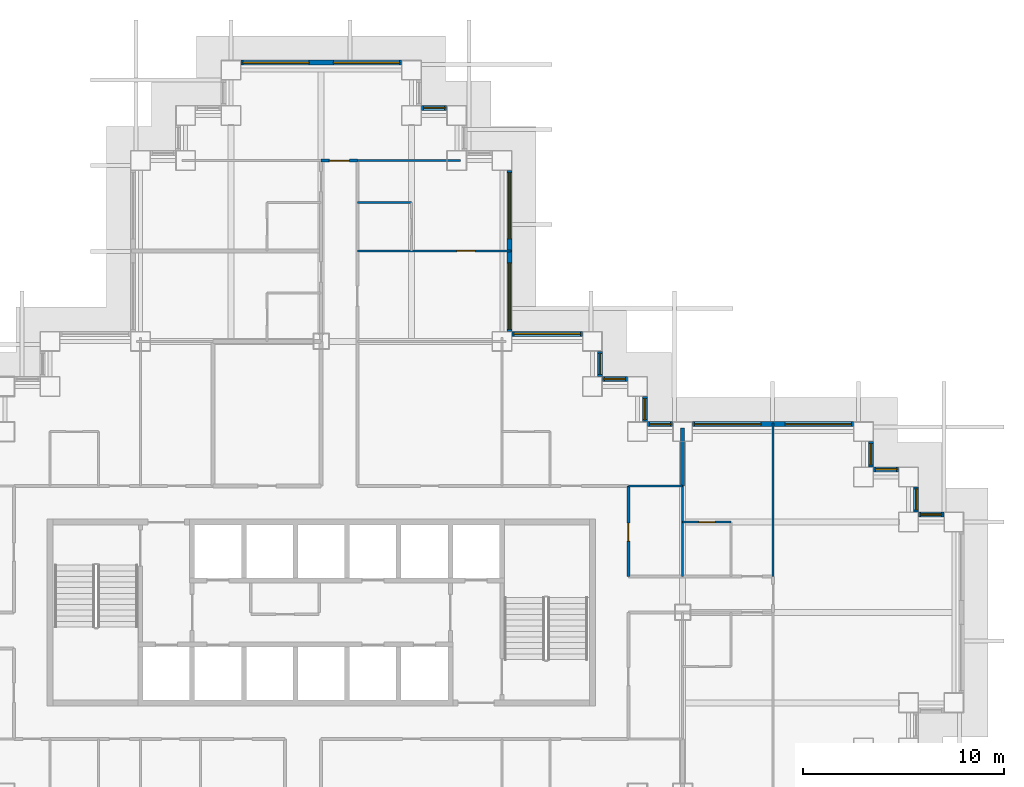
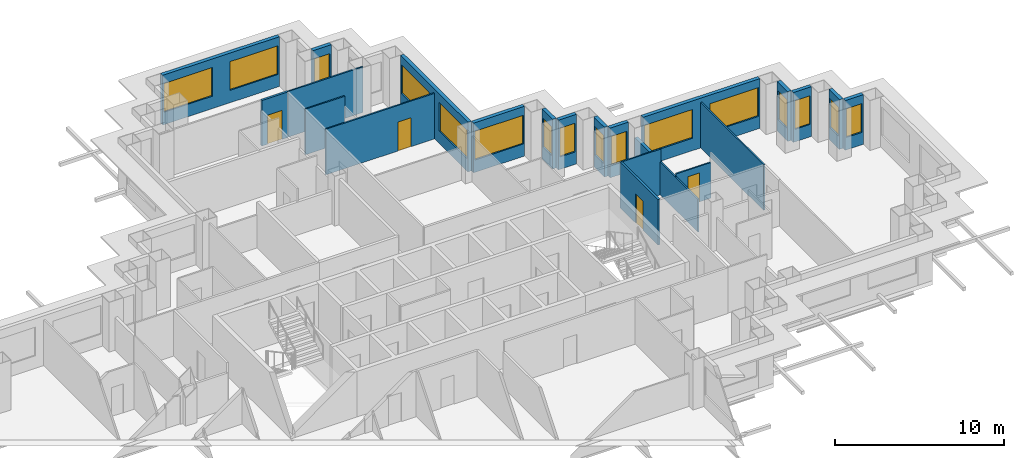
# One storey, part 9 of 15: 23 walls, 16 windows, 4 doors, 20 openings.
"""IFC4 building model written with IfcOpenShell, lengths in metres."""

from ifc_helpers import new_model, si_unit, direction, frame, frame_2d, origin, place, context, subcontext, project, spatial, rectangle, extrude, material, layer, layer_set, type_object, element, fill, save


model = new_model("IFC4")

# Units and contexts
model_context = context("Model", 3, precision=1e-05, world=origin(), true_north=direction((0.0, 1.0)))
body_context = subcontext(model_context, "Body", "Model", "MODEL_VIEW")
ifc_project = project(units=[si_unit("LENGTHUNIT", "METRE"), si_unit("AREAUNIT", "SQUARE_METRE"), si_unit("VOLUMEUNIT", "CUBIC_METRE"), si_unit("PLANEANGLEUNIT", "RADIAN"), si_unit("MASSUNIT", "GRAM", prefix="KILO")], contexts=[model_context])

# Site, building, storey
site_placement = place(None, origin())
site = spatial("IfcSite", under=ifc_project, at=site_placement, CompositionType="ELEMENT")
building_placement = place(site_placement, origin())
building = spatial("IfcBuilding", under=site, at=building_placement, Name="Caravel Reach Hotel and Residences", CompositionType="ELEMENT")
storey_placement = place(building_placement, frame((0.0, 0.0, 70.800048828125)))
storey = spatial("IfcBuildingStorey", under=building, at=storey_placement, Name="L16", CompositionType="ELEMENT", Elevation=70.800048828125)

# Wall, opening, door
ifc_material_1 = material(Name="Gypsum board on steel stud", Category="steel")
ifc_layer_1 = layer(ifc_material_1, 0.10009765625)
ifc_layer_set_1 = layer_set([ifc_layer_1], Name="Bathroom pod wall 100 mm")
wall_type_1 = type_object("IfcWallType", Name="Bathroom pod wall 100 mm", PredefinedType="PARTITIONING", material=ifc_layer_set_1)
wall_1_placement = place(storey_placement, frame((49.5, 31.5, 0.0), z_axis=(0.0, 0.0, 1.0), x_axis=(1.0, 0.0, 0.0)))
wall_1 = element("IfcWall", 1, at=wall_1_placement, inside=storey, type_object=wall_type_1, Name="L16 wall w080", PredefinedType="PARTITIONING", context=body_context, shape_type="SweptSolid", body=[
    extrude(rectangle(XDim=2.39990234375, YDim=0.10009765625, at=frame_2d((1.199951171875, 0.0))), origin(), (0.0, 0.0, 1.0), 2.579833984375),
])
opening_1_placement = place(wall_1_placement, frame((0.800048828125, 0.0, 0.0)))
opening_1 = element("IfcOpeningElement", 2, at=opening_1_placement, cuts=wall_1, Name="Opening D16-022", PredefinedType="OPENING", context=body_context, shape_type="SweptSolid", body=[
    extrude(rectangle(XDim=0.800048828125, YDim=2.10009765625, at=frame_2d((0.39990234375, 1.050048828125))), frame((0.0, 0.06005859375, 0.0), z_axis=(0.0, -1.0, 0.0), x_axis=(1.0, 0.0, 0.0)), (0.0, 0.0, 1.0), 0.1201171875),
])
ifc_material_2 = material(Name="Timber and steel door leaf", Category="steel")
door_type_1 = type_object("IfcDoorType", Name="Bathroom door 800 x 2100", OperationType="SINGLE_SWING_LEFT", PredefinedType="DOOR", material=ifc_material_2)
door_1_placement = place(opening_1_placement, origin())
door_1 = element("IfcDoor", 3, at=door_1_placement, inside=storey, type_object=door_type_1, Name="door D16-022", OperationType="SINGLE_SWING_LEFT", OverallHeight=2.10009765625, OverallWidth=0.800048828125, PredefinedType="DOOR", context=body_context, shape_type="SweptSolid", body=[
    extrude(rectangle(XDim=0.800048828125, YDim=2.10009765625, at=frame_2d((0.39990234375, 1.050048828125))), frame((0.0, 0.02490234375, 0.0), z_axis=(0.0, -1.0, 0.0), x_axis=(1.0, 0.0, 0.0)), (0.0, 0.0, 1.0), 0.050048828125),
])
fill(opening_1, door_1)

# Wall
wall_2_placement = place(storey_placement, frame((33.300048828125, 47.39990234375, 0.0), z_axis=(0.0, 0.0, 1.0), x_axis=(1.0, 0.0, 0.0)))
element("IfcWall", 4, at=wall_2_placement, inside=storey, type_object=wall_type_1, Name="L16 wall w085", PredefinedType="PARTITIONING", context=body_context, shape_type="SweptSolid", body=[
    extrude(rectangle(XDim=2.699951171875, YDim=0.10009765625, at=frame_2d((1.35009765625, 0.0))), origin(), (0.0, 0.0, 1.0), 3.300048828125),
])

# Wall, opening, door
ifc_material_3 = material(Name="Gypsum board on steel stud, fire-rated", Category="steel")
ifc_layer_2 = layer(ifc_material_3, 0.14990234375)
ifc_layer_set_2 = layer_set([ifc_layer_2], Name="Corridor wall 150 mm EI 60")
wall_type_2 = type_object("IfcWallType", Name="Corridor wall 150 mm EI 60", PredefinedType="PARTITIONING", material=ifc_layer_set_2)
wall_3_placement = place(storey_placement, frame((31.5, 49.5, 0.0), z_axis=(0.0, 0.0, 1.0), x_axis=(1.0, 0.0, 0.0)))
wall_3 = element("IfcWall", 5, at=wall_3_placement, inside=storey, type_object=wall_type_2, Name="L16 wall w020", PredefinedType="PARTITIONING", context=body_context, shape_type="SweptSolid", body=[
    extrude(rectangle(XDim=1.800048828125, YDim=0.14990234375, at=frame_2d((0.89990234375, 0.0))), origin(), (0.0, 0.0, 1.0), 3.300048828125),
])
opening_2_placement = place(wall_3_placement, frame((0.39990234375, 0.0, 0.0)))
opening_2 = element("IfcOpeningElement", 6, at=opening_2_placement, cuts=wall_3, Name="Opening D16-039", PredefinedType="OPENING", context=body_context, shape_type="SweptSolid", body=[
    extrude(rectangle(XDim=1.0, YDim=2.10009765625, at=frame_2d((0.5, 1.050048828125))), frame((0.0, 0.0849609375, 0.0), z_axis=(0.0, -1.0, 0.0), x_axis=(1.0, 0.0, 0.0)), (0.0, 0.0, 1.0), 0.169921875),
])
ifc_material_4 = material(Name="Steel fire door leaf", Category="steel")
door_type_2 = type_object("IfcDoorType", Name="Guest room door 1000 x 2100 EI 30", OperationType="SINGLE_SWING_LEFT", PredefinedType="DOOR", material=ifc_material_4)
door_2_placement = place(opening_2_placement, origin())
door_2 = element("IfcDoor", 7, at=door_2_placement, inside=storey, type_object=door_type_2, Name="door D16-039", OperationType="SINGLE_SWING_LEFT", OverallHeight=2.10009765625, OverallWidth=1.0, PredefinedType="DOOR", context=body_context, shape_type="SweptSolid", body=[
    extrude(rectangle(XDim=1.0, YDim=2.10009765625, at=frame_2d((0.5, 1.050048828125))), frame((0.0, 0.02490234375, 0.0), z_axis=(0.0, -1.0, 0.0), x_axis=(1.0, 0.0, 0.0)), (0.0, 0.0, 1.0), 0.050048828125),
])
fill(opening_2, door_2)

wall_4_placement = place(storey_placement, frame((46.800048828125, 28.800048828125, 0.0), z_axis=(0.0, 0.0, 1.0), x_axis=(0.0, 1.0, 0.0)))
wall_4 = element("IfcWall", 8, at=wall_4_placement, inside=storey, type_object=wall_type_2, Name="L16 wall w034", PredefinedType="PARTITIONING", context=body_context, shape_type="SweptSolid", body=[
    extrude(rectangle(XDim=4.5, YDim=0.14990234375, at=frame_2d((2.25, 0.0))), origin(), (0.0, 0.0, 1.0), 3.300048828125),
])
opening_3_placement = place(wall_4_placement, frame((1.75, 0.0, 0.0)))
opening_3 = element("IfcOpeningElement", 9, at=opening_3_placement, cuts=wall_4, Name="Opening D16-060", PredefinedType="OPENING", context=body_context, shape_type="SweptSolid", body=[
    extrude(rectangle(XDim=0.89990234375, YDim=2.10009765625, at=frame_2d((0.449951171875, 1.050048828125))), frame((0.0, 0.0849609375, 0.0), z_axis=(0.0, -1.0, 0.0), x_axis=(1.0, 0.0, 0.0)), (0.0, 0.0, 1.0), 0.169921875),
])
ifc_material_5 = material(Name="Timber and steel door leaf", Category="steel")
door_type_3 = type_object("IfcDoorType", Name="Door 900 x 2100 timber", OperationType="SINGLE_SWING_LEFT", PredefinedType="DOOR", material=ifc_material_5)
door_3_placement = place(opening_3_placement, origin())
door_3 = element("IfcDoor", 10, at=door_3_placement, inside=storey, type_object=door_type_3, Name="door D16-060", OperationType="SINGLE_SWING_RIGHT", OverallHeight=2.10009765625, OverallWidth=0.89990234375, PredefinedType="DOOR", context=body_context, shape_type="SweptSolid", body=[
    extrude(rectangle(XDim=0.89990234375, YDim=2.10009765625, at=frame_2d((0.449951171875, 1.050048828125))), frame((0.0, 0.02490234375, 0.0), z_axis=(0.0, -1.0, 0.0), x_axis=(1.0, 0.0, 0.0)), (0.0, 0.0, 1.0), 0.050048828125),
])
fill(opening_3, door_3)

# Wall, opening, window
ifc_material_6 = material(Name="Insulated rainscreen wall, aluminium cladding", Category="aluminium")
ifc_layer_3 = layer(ifc_material_6, 0.25)
ifc_layer_set_3 = layer_set([ifc_layer_3], Name="EW1 Tower rainscreen wall")
wall_type_3 = type_object("IfcWallType", Name="EW1 Tower rainscreen wall", PredefinedType="SOLIDWALL", material=ifc_layer_set_3)
wall_5_placement = place(storey_placement, frame((62.5, 31.875, 0.0), z_axis=(0.0, 0.0, 1.0), x_axis=(-1.0, 0.0, 0.0)))
wall_5 = element("IfcWall", 11, at=wall_5_placement, inside=storey, type_object=wall_type_3, Name="External wall L16 N21.1", PredefinedType="SOLIDWALL", context=body_context, shape_type="SweptSolid", body=[
    extrude(rectangle(XDim=1.25, YDim=0.25, at=frame_2d((0.625, 0.0))), origin(), (0.0, 0.0, 1.0), 3.599853515625),
])
opening_4_placement = place(wall_5_placement, frame((0.10009765625, 0.0, 0.89990234375)))
opening_4 = element("IfcOpeningElement", 12, at=opening_4_placement, cuts=wall_5, Name="Opening WN3", PredefinedType="OPENING", context=body_context, shape_type="SweptSolid", body=[
    extrude(rectangle(XDim=1.050048828125, YDim=2.080078125, at=frame_2d((0.52490234375, 1.0400390625))), frame((0.0, 0.135009765625, 0.0), z_axis=(0.0, -1.0, 0.0), x_axis=(1.0, 0.0, 0.0)), (0.0, 0.0, 1.0), 0.27001953125),
])
ifc_material_7 = material(Name="Dark low-e glazing in black aluminium frame", Category="aluminium")
window_type_1 = type_object("IfcWindowType", Name="Hotel suite corner window 1050 x 2080", PartitioningType="SINGLE_PANEL", PredefinedType="WINDOW", material=ifc_material_7)
window_1_placement = place(opening_4_placement, origin())
window_1 = element("IfcWindow", 13, at=window_1_placement, inside=storey, type_object=window_type_1, Name="Window L16 N21.1.1", OverallHeight=2.080078125, OverallWidth=1.050048828125, PartitioningType="SINGLE_PANEL", PredefinedType="WINDOW", context=body_context, shape_type="SweptSolid", body=[
    extrude(rectangle(XDim=1.050048828125, YDim=2.080078125, at=frame_2d((0.52490234375, 1.0400390625))), frame((0.0, 0.030029296875, 0.0), z_axis=(0.0, -1.0, 0.0), x_axis=(1.0, 0.0, 0.0)), (0.0, 0.0, 1.0), 0.06005859375),
])
fill(opening_4, window_1)

wall_6_placement = place(storey_placement, frame((61.125, 32.0, 0.0), z_axis=(0.0, 0.0, 1.0), x_axis=(0.0, 1.0, 0.0)))
wall_6 = element("IfcWall", 14, at=wall_6_placement, inside=storey, type_object=wall_type_3, Name="External wall L16 E22.1", PredefinedType="SOLIDWALL", context=body_context, shape_type="SweptSolid", body=[
    extrude(rectangle(XDim=1.25, YDim=0.25, at=frame_2d((0.625, 0.0))), origin(), (0.0, 0.0, 1.0), 3.599853515625),
])
opening_5_placement = place(wall_6_placement, frame((0.10009765625, 0.0, 0.89990234375)))
opening_5 = element("IfcOpeningElement", 15, at=opening_5_placement, cuts=wall_6, Name="Opening WN3", PredefinedType="OPENING", context=body_context, shape_type="SweptSolid", body=[
    extrude(rectangle(XDim=1.050048828125, YDim=2.080078125, at=frame_2d((0.52490234375, 1.0400390625))), frame((0.0, 0.135009765625, 0.0), z_axis=(0.0, -1.0, 0.0), x_axis=(1.0, 0.0, 0.0)), (0.0, 0.0, 1.0), 0.27001953125),
])
window_2_placement = place(opening_5_placement, origin())
window_2 = element("IfcWindow", 16, at=window_2_placement, inside=storey, type_object=window_type_1, Name="Window L16 E22.1.1", OverallHeight=2.080078125, OverallWidth=1.050048828125, PartitioningType="SINGLE_PANEL", PredefinedType="WINDOW", context=body_context, shape_type="SweptSolid", body=[
    extrude(rectangle(XDim=1.050048828125, YDim=2.080078125, at=frame_2d((0.52490234375, 1.0400390625))), frame((0.0, 0.030029296875, 0.0), z_axis=(0.0, -1.0, 0.0), x_axis=(1.0, 0.0, 0.0)), (0.0, 0.0, 1.0), 0.06005859375),
])
fill(opening_5, window_2)

wall_7_placement = place(storey_placement, frame((60.25, 34.125, 0.0), z_axis=(0.0, 0.0, 1.0), x_axis=(-1.0, 0.0, 0.0)))
wall_7 = element("IfcWall", 17, at=wall_7_placement, inside=storey, type_object=wall_type_3, Name="External wall L16 N23.1", PredefinedType="SOLIDWALL", context=body_context, shape_type="SweptSolid", body=[
    extrude(rectangle(XDim=1.25, YDim=0.25, at=frame_2d((0.625, 0.0))), origin(), (0.0, 0.0, 1.0), 3.599853515625),
])
opening_6_placement = place(wall_7_placement, frame((0.10009765625, 0.0, 0.89990234375)))
opening_6 = element("IfcOpeningElement", 18, at=opening_6_placement, cuts=wall_7, Name="Opening WN3", PredefinedType="OPENING", context=body_context, shape_type="SweptSolid", body=[
    extrude(rectangle(XDim=1.050048828125, YDim=2.080078125, at=frame_2d((0.52490234375, 1.0400390625))), frame((0.0, 0.135009765625, 0.0), z_axis=(0.0, -1.0, 0.0), x_axis=(1.0, 0.0, 0.0)), (0.0, 0.0, 1.0), 0.27001953125),
])
window_3_placement = place(opening_6_placement, origin())
window_3 = element("IfcWindow", 19, at=window_3_placement, inside=storey, type_object=window_type_1, Name="Window L16 N23.1.1", OverallHeight=2.080078125, OverallWidth=1.050048828125, PartitioningType="SINGLE_PANEL", PredefinedType="WINDOW", context=body_context, shape_type="SweptSolid", body=[
    extrude(rectangle(XDim=1.050048828125, YDim=2.080078125, at=frame_2d((0.52490234375, 1.0400390625))), frame((0.0, 0.030029296875, 0.0), z_axis=(0.0, -1.0, 0.0), x_axis=(1.0, 0.0, 0.0)), (0.0, 0.0, 1.0), 0.06005859375),
])
fill(opening_6, window_3)

wall_8_placement = place(storey_placement, frame((58.875, 34.25, 0.0), z_axis=(0.0, 0.0, 1.0), x_axis=(0.0, 1.0, 0.0)))
wall_8 = element("IfcWall", 20, at=wall_8_placement, inside=storey, type_object=wall_type_3, Name="External wall L16 E24.1", PredefinedType="SOLIDWALL", context=body_context, shape_type="SweptSolid", body=[
    extrude(rectangle(XDim=1.25, YDim=0.25, at=frame_2d((0.625, 0.0))), origin(), (0.0, 0.0, 1.0), 3.599853515625),
])
opening_7_placement = place(wall_8_placement, frame((0.10009765625, 0.0, 0.89990234375)))
opening_7 = element("IfcOpeningElement", 21, at=opening_7_placement, cuts=wall_8, Name="Opening WN3", PredefinedType="OPENING", context=body_context, shape_type="SweptSolid", body=[
    extrude(rectangle(XDim=1.050048828125, YDim=2.080078125, at=frame_2d((0.52490234375, 1.0400390625))), frame((0.0, 0.135009765625, 0.0), z_axis=(0.0, -1.0, 0.0), x_axis=(1.0, 0.0, 0.0)), (0.0, 0.0, 1.0), 0.27001953125),
])
window_4_placement = place(opening_7_placement, origin())
window_4 = element("IfcWindow", 22, at=window_4_placement, inside=storey, type_object=window_type_1, Name="Window L16 E24.1.1", OverallHeight=2.080078125, OverallWidth=1.050048828125, PartitioningType="SINGLE_PANEL", PredefinedType="WINDOW", context=body_context, shape_type="SweptSolid", body=[
    extrude(rectangle(XDim=1.050048828125, YDim=2.080078125, at=frame_2d((0.52490234375, 1.0400390625))), frame((0.0, 0.030029296875, 0.0), z_axis=(0.0, -1.0, 0.0), x_axis=(1.0, 0.0, 0.0)), (0.0, 0.0, 1.0), 0.06005859375),
])
fill(opening_7, window_4)

# Wall, openings, windows
wall_9_placement = place(storey_placement, frame((58.0, 36.375, 0.0), z_axis=(0.0, 0.0, 1.0), x_axis=(-1.0, 0.0, 0.0)))
wall_9 = element("IfcWall", 23, at=wall_9_placement, inside=storey, type_object=wall_type_3, Name="External wall L16 N25.1", PredefinedType="SOLIDWALL", context=body_context, shape_type="SweptSolid", body=[
    extrude(rectangle(XDim=8.0, YDim=0.25, at=frame_2d((4.0, 0.0))), origin(), (0.0, 0.0, 1.0), 3.599853515625),
])
opening_8_placement = place(wall_9_placement, frame((0.10009765625, 0.0, 0.89990234375)))
opening_8 = element("IfcOpeningElement", 24, at=opening_8_placement, cuts=wall_9, Name="Opening WN4", PredefinedType="OPENING", context=body_context, shape_type="SweptSolid", body=[
    extrude(rectangle(XDim=3.300048828125, YDim=2.080078125, at=frame_2d((1.64990234375, 1.0400390625))), frame((0.0, 0.135009765625, 0.0), z_axis=(0.0, -1.0, 0.0), x_axis=(1.0, 0.0, 0.0)), (0.0, 0.0, 1.0), 0.27001953125),
])
opening_9_placement = place(wall_9_placement, frame((4.60009765625, 0.0, 0.89990234375)))
opening_9 = element("IfcOpeningElement", 25, at=opening_9_placement, cuts=wall_9, Name="Opening WN4", PredefinedType="OPENING", context=body_context, shape_type="SweptSolid", body=[
    extrude(rectangle(XDim=3.300048828125, YDim=2.080078125, at=frame_2d((1.64990234375, 1.0400390625))), frame((0.0, 0.135009765625, 0.0), z_axis=(0.0, -1.0, 0.0), x_axis=(1.0, 0.0, 0.0)), (0.0, 0.0, 1.0), 0.27001953125),
])
ifc_material_8 = material(Name="Dark low-e glazing in black aluminium frame", Category="aluminium")
window_type_2 = type_object("IfcWindowType", Name="Hotel guest room window 3300 x 2080", PartitioningType="SINGLE_PANEL", PredefinedType="WINDOW", material=ifc_material_8)
window_5_placement = place(opening_8_placement, origin())
window_5 = element("IfcWindow", 26, at=window_5_placement, inside=storey, type_object=window_type_2, Name="Window L16 N25.1.1", OverallHeight=2.080078125, OverallWidth=3.300048828125, PartitioningType="SINGLE_PANEL", PredefinedType="WINDOW", context=body_context, shape_type="SweptSolid", body=[
    extrude(rectangle(XDim=3.300048828125, YDim=2.080078125, at=frame_2d((1.64990234375, 1.0400390625))), frame((0.0, 0.030029296875, 0.0), z_axis=(0.0, -1.0, 0.0), x_axis=(1.0, 0.0, 0.0)), (0.0, 0.0, 1.0), 0.06005859375),
])
fill(opening_8, window_5)
window_6_placement = place(opening_9_placement, origin())
window_6 = element("IfcWindow", 27, at=window_6_placement, inside=storey, type_object=window_type_2, Name="Window L16 N25.1.2", OverallHeight=2.080078125, OverallWidth=3.300048828125, PartitioningType="SINGLE_PANEL", PredefinedType="WINDOW", context=body_context, shape_type="SweptSolid", body=[
    extrude(rectangle(XDim=3.300048828125, YDim=2.080078125, at=frame_2d((1.64990234375, 1.0400390625))), frame((0.0, 0.030029296875, 0.0), z_axis=(0.0, -1.0, 0.0), x_axis=(1.0, 0.0, 0.0)), (0.0, 0.0, 1.0), 0.06005859375),
])
fill(opening_9, window_6)

# Wall, opening, window
wall_10_placement = place(storey_placement, frame((49.0, 36.375, 0.0), z_axis=(0.0, 0.0, 1.0), x_axis=(-1.0, 0.0, 0.0)))
wall_10 = element("IfcWall", 28, at=wall_10_placement, inside=storey, type_object=wall_type_3, Name="External wall L16 N25.2", PredefinedType="SOLIDWALL", context=body_context, shape_type="SweptSolid", body=[
    extrude(rectangle(XDim=1.25, YDim=0.25, at=frame_2d((0.625, 0.0))), origin(), (0.0, 0.0, 1.0), 3.599853515625),
])
opening_10_placement = place(wall_10_placement, frame((0.10009765625, 0.0, 0.89990234375)))
opening_10 = element("IfcOpeningElement", 29, at=opening_10_placement, cuts=wall_10, Name="Opening WN3", PredefinedType="OPENING", context=body_context, shape_type="SweptSolid", body=[
    extrude(rectangle(XDim=1.050048828125, YDim=2.080078125, at=frame_2d((0.52490234375, 1.0400390625))), frame((0.0, 0.135009765625, 0.0), z_axis=(0.0, -1.0, 0.0), x_axis=(1.0, 0.0, 0.0)), (0.0, 0.0, 1.0), 0.27001953125),
])
window_7_placement = place(opening_10_placement, origin())
window_7 = element("IfcWindow", 30, at=window_7_placement, inside=storey, type_object=window_type_1, Name="Window L16 N25.2.1", OverallHeight=2.080078125, OverallWidth=1.050048828125, PartitioningType="SINGLE_PANEL", PredefinedType="WINDOW", context=body_context, shape_type="SweptSolid", body=[
    extrude(rectangle(XDim=1.050048828125, YDim=2.080078125, at=frame_2d((0.52490234375, 1.0400390625))), frame((0.0, 0.030029296875, 0.0), z_axis=(0.0, -1.0, 0.0), x_axis=(1.0, 0.0, 0.0)), (0.0, 0.0, 1.0), 0.06005859375),
])
fill(opening_10, window_7)

wall_11_placement = place(storey_placement, frame((47.625, 36.5, 0.0), z_axis=(0.0, 0.0, 1.0), x_axis=(0.0, 1.0, 0.0)))
wall_11 = element("IfcWall", 31, at=wall_11_placement, inside=storey, type_object=wall_type_3, Name="External wall L16 E26.1", PredefinedType="SOLIDWALL", context=body_context, shape_type="SweptSolid", body=[
    extrude(rectangle(XDim=1.25, YDim=0.25, at=frame_2d((0.625, 0.0))), origin(), (0.0, 0.0, 1.0), 3.599853515625),
])
opening_11_placement = place(wall_11_placement, frame((0.10009765625, 0.0, 0.89990234375)))
opening_11 = element("IfcOpeningElement", 32, at=opening_11_placement, cuts=wall_11, Name="Opening WN3", PredefinedType="OPENING", context=body_context, shape_type="SweptSolid", body=[
    extrude(rectangle(XDim=1.050048828125, YDim=2.080078125, at=frame_2d((0.52490234375, 1.0400390625))), frame((0.0, 0.135009765625, 0.0), z_axis=(0.0, -1.0, 0.0), x_axis=(1.0, 0.0, 0.0)), (0.0, 0.0, 1.0), 0.27001953125),
])
window_8_placement = place(opening_11_placement, origin())
window_8 = element("IfcWindow", 33, at=window_8_placement, inside=storey, type_object=window_type_1, Name="Window L16 E26.1.1", OverallHeight=2.080078125, OverallWidth=1.050048828125, PartitioningType="SINGLE_PANEL", PredefinedType="WINDOW", context=body_context, shape_type="SweptSolid", body=[
    extrude(rectangle(XDim=1.050048828125, YDim=2.080078125, at=frame_2d((0.52490234375, 1.0400390625))), frame((0.0, 0.030029296875, 0.0), z_axis=(0.0, -1.0, 0.0), x_axis=(1.0, 0.0, 0.0)), (0.0, 0.0, 1.0), 0.06005859375),
])
fill(opening_11, window_8)

wall_12_placement = place(storey_placement, frame((46.75, 38.625, 0.0), z_axis=(0.0, 0.0, 1.0), x_axis=(-1.0, 0.0, 0.0)))
wall_12 = element("IfcWall", 34, at=wall_12_placement, inside=storey, type_object=wall_type_3, Name="External wall L16 N27.1", PredefinedType="SOLIDWALL", context=body_context, shape_type="SweptSolid", body=[
    extrude(rectangle(XDim=1.25, YDim=0.25, at=frame_2d((0.625, 0.0))), origin(), (0.0, 0.0, 1.0), 3.599853515625),
])
opening_12_placement = place(wall_12_placement, frame((0.10009765625, 0.0, 0.89990234375)))
opening_12 = element("IfcOpeningElement", 35, at=opening_12_placement, cuts=wall_12, Name="Opening WN3", PredefinedType="OPENING", context=body_context, shape_type="SweptSolid", body=[
    extrude(rectangle(XDim=1.050048828125, YDim=2.080078125, at=frame_2d((0.52490234375, 1.0400390625))), frame((0.0, 0.135009765625, 0.0), z_axis=(0.0, -1.0, 0.0), x_axis=(1.0, 0.0, 0.0)), (0.0, 0.0, 1.0), 0.27001953125),
])
window_9_placement = place(opening_12_placement, origin())
window_9 = element("IfcWindow", 36, at=window_9_placement, inside=storey, type_object=window_type_1, Name="Window L16 N27.1.1", OverallHeight=2.080078125, OverallWidth=1.050048828125, PartitioningType="SINGLE_PANEL", PredefinedType="WINDOW", context=body_context, shape_type="SweptSolid", body=[
    extrude(rectangle(XDim=1.050048828125, YDim=2.080078125, at=frame_2d((0.52490234375, 1.0400390625))), frame((0.0, 0.030029296875, 0.0), z_axis=(0.0, -1.0, 0.0), x_axis=(1.0, 0.0, 0.0)), (0.0, 0.0, 1.0), 0.06005859375),
])
fill(opening_12, window_9)

wall_13_placement = place(storey_placement, frame((45.375, 38.75, 0.0), z_axis=(0.0, 0.0, 1.0), x_axis=(0.0, 1.0, 0.0)))
wall_13 = element("IfcWall", 37, at=wall_13_placement, inside=storey, type_object=wall_type_3, Name="External wall L16 E28.1", PredefinedType="SOLIDWALL", context=body_context, shape_type="SweptSolid", body=[
    extrude(rectangle(XDim=1.25, YDim=0.25, at=frame_2d((0.625, 0.0))), origin(), (0.0, 0.0, 1.0), 3.599853515625),
])
opening_13_placement = place(wall_13_placement, frame((0.10009765625, 0.0, 0.89990234375)))
opening_13 = element("IfcOpeningElement", 38, at=opening_13_placement, cuts=wall_13, Name="Opening WN3", PredefinedType="OPENING", context=body_context, shape_type="SweptSolid", body=[
    extrude(rectangle(XDim=1.050048828125, YDim=2.080078125, at=frame_2d((0.52490234375, 1.0400390625))), frame((0.0, 0.135009765625, 0.0), z_axis=(0.0, -1.0, 0.0), x_axis=(1.0, 0.0, 0.0)), (0.0, 0.0, 1.0), 0.27001953125),
])
window_10_placement = place(opening_13_placement, origin())
window_10 = element("IfcWindow", 39, at=window_10_placement, inside=storey, type_object=window_type_1, Name="Window L16 E28.1.1", OverallHeight=2.080078125, OverallWidth=1.050048828125, PartitioningType="SINGLE_PANEL", PredefinedType="WINDOW", context=body_context, shape_type="SweptSolid", body=[
    extrude(rectangle(XDim=1.050048828125, YDim=2.080078125, at=frame_2d((0.52490234375, 1.0400390625))), frame((0.0, 0.030029296875, 0.0), z_axis=(0.0, -1.0, 0.0), x_axis=(1.0, 0.0, 0.0)), (0.0, 0.0, 1.0), 0.06005859375),
])
fill(opening_13, window_10)

wall_14_placement = place(storey_placement, frame((44.5, 40.875, 0.0), z_axis=(0.0, 0.0, 1.0), x_axis=(-1.0, 0.0, 0.0)))
wall_14 = element("IfcWall", 40, at=wall_14_placement, inside=storey, type_object=wall_type_3, Name="External wall L16 N29.1", PredefinedType="SOLIDWALL", context=body_context, shape_type="SweptSolid", body=[
    extrude(rectangle(XDim=3.5, YDim=0.25, at=frame_2d((1.75, 0.0))), origin(), (0.0, 0.0, 1.0), 3.599853515625),
])
opening_14_placement = place(wall_14_placement, frame((0.10009765625, 0.0, 0.89990234375)))
opening_14 = element("IfcOpeningElement", 41, at=opening_14_placement, cuts=wall_14, Name="Opening WN4", PredefinedType="OPENING", context=body_context, shape_type="SweptSolid", body=[
    extrude(rectangle(XDim=3.300048828125, YDim=2.080078125, at=frame_2d((1.64990234375, 1.0400390625))), frame((0.0, 0.135009765625, 0.0), z_axis=(0.0, -1.0, 0.0), x_axis=(1.0, 0.0, 0.0)), (0.0, 0.0, 1.0), 0.27001953125),
])
window_11_placement = place(opening_14_placement, origin())
window_11 = element("IfcWindow", 42, at=window_11_placement, inside=storey, type_object=window_type_2, Name="Window L16 N29.1.1", OverallHeight=2.080078125, OverallWidth=3.300048828125, PartitioningType="SINGLE_PANEL", PredefinedType="WINDOW", context=body_context, shape_type="SweptSolid", body=[
    extrude(rectangle(XDim=3.300048828125, YDim=2.080078125, at=frame_2d((1.64990234375, 1.0400390625))), frame((0.0, 0.030029296875, 0.0), z_axis=(0.0, -1.0, 0.0), x_axis=(1.0, 0.0, 0.0)), (0.0, 0.0, 1.0), 0.06005859375),
])
fill(opening_14, window_11)

# Wall, openings, windows
wall_15_placement = place(storey_placement, frame((40.875, 41.0, 0.0), z_axis=(0.0, 0.0, 1.0), x_axis=(0.0, 1.0, 0.0)))
wall_15 = element("IfcWall", 43, at=wall_15_placement, inside=storey, type_object=wall_type_3, Name="External wall L16 E30.1", PredefinedType="SOLIDWALL", context=body_context, shape_type="SweptSolid", body=[
    extrude(rectangle(XDim=8.0, YDim=0.25, at=frame_2d((4.0, 0.0))), origin(), (0.0, 0.0, 1.0), 3.599853515625),
])
opening_15_placement = place(wall_15_placement, frame((0.10009765625, 0.0, 0.89990234375)))
opening_15 = element("IfcOpeningElement", 44, at=opening_15_placement, cuts=wall_15, Name="Opening WN4", PredefinedType="OPENING", context=body_context, shape_type="SweptSolid", body=[
    extrude(rectangle(XDim=3.300048828125, YDim=2.080078125, at=frame_2d((1.64990234375, 1.0400390625))), frame((0.0, 0.135009765625, 0.0), z_axis=(0.0, -1.0, 0.0), x_axis=(1.0, 0.0, 0.0)), (0.0, 0.0, 1.0), 0.27001953125),
])
opening_16_placement = place(wall_15_placement, frame((4.60009765625, 0.0, 0.89990234375)))
opening_16 = element("IfcOpeningElement", 45, at=opening_16_placement, cuts=wall_15, Name="Opening WN4", PredefinedType="OPENING", context=body_context, shape_type="SweptSolid", body=[
    extrude(rectangle(XDim=3.300048828125, YDim=2.080078125, at=frame_2d((1.64990234375, 1.0400390625))), frame((0.0, 0.135009765625, 0.0), z_axis=(0.0, -1.0, 0.0), x_axis=(1.0, 0.0, 0.0)), (0.0, 0.0, 1.0), 0.27001953125),
])
window_12_placement = place(opening_15_placement, origin())
window_12 = element("IfcWindow", 46, at=window_12_placement, inside=storey, type_object=window_type_2, Name="Window L16 E30.1.1", OverallHeight=2.080078125, OverallWidth=3.300048828125, PartitioningType="SINGLE_PANEL", PredefinedType="WINDOW", context=body_context, shape_type="SweptSolid", body=[
    extrude(rectangle(XDim=3.300048828125, YDim=2.080078125, at=frame_2d((1.64990234375, 1.0400390625))), frame((0.0, 0.030029296875, 0.0), z_axis=(0.0, -1.0, 0.0), x_axis=(1.0, 0.0, 0.0)), (0.0, 0.0, 1.0), 0.06005859375),
])
fill(opening_15, window_12)
window_13_placement = place(opening_16_placement, origin())
window_13 = element("IfcWindow", 47, at=window_13_placement, inside=storey, type_object=window_type_2, Name="Window L16 E30.1.2", OverallHeight=2.080078125, OverallWidth=3.300048828125, PartitioningType="SINGLE_PANEL", PredefinedType="WINDOW", context=body_context, shape_type="SweptSolid", body=[
    extrude(rectangle(XDim=3.300048828125, YDim=2.080078125, at=frame_2d((1.64990234375, 1.0400390625))), frame((0.0, 0.030029296875, 0.0), z_axis=(0.0, -1.0, 0.0), x_axis=(1.0, 0.0, 0.0)), (0.0, 0.0, 1.0), 0.06005859375),
])
fill(opening_16, window_13)

# Wall, opening, window
wall_16_placement = place(storey_placement, frame((37.75, 52.125, 0.0), z_axis=(0.0, 0.0, 1.0), x_axis=(-1.0, 0.0, 0.0)))
wall_16 = element("IfcWall", 48, at=wall_16_placement, inside=storey, type_object=wall_type_3, Name="External wall L16 N33.1", PredefinedType="SOLIDWALL", context=body_context, shape_type="SweptSolid", body=[
    extrude(rectangle(XDim=1.25, YDim=0.25, at=frame_2d((0.625, 0.0))), origin(), (0.0, 0.0, 1.0), 3.599853515625),
])
opening_17_placement = place(wall_16_placement, frame((0.10009765625, 0.0, 0.89990234375)))
opening_17 = element("IfcOpeningElement", 49, at=opening_17_placement, cuts=wall_16, Name="Opening WN3", PredefinedType="OPENING", context=body_context, shape_type="SweptSolid", body=[
    extrude(rectangle(XDim=1.050048828125, YDim=2.080078125, at=frame_2d((0.52490234375, 1.0400390625))), frame((0.0, 0.135009765625, 0.0), z_axis=(0.0, -1.0, 0.0), x_axis=(1.0, 0.0, 0.0)), (0.0, 0.0, 1.0), 0.27001953125),
])
window_14_placement = place(opening_17_placement, origin())
window_14 = element("IfcWindow", 50, at=window_14_placement, inside=storey, type_object=window_type_1, Name="Window L16 N33.1.1", OverallHeight=2.080078125, OverallWidth=1.050048828125, PartitioningType="SINGLE_PANEL", PredefinedType="WINDOW", context=body_context, shape_type="SweptSolid", body=[
    extrude(rectangle(XDim=1.050048828125, YDim=2.080078125, at=frame_2d((0.52490234375, 1.0400390625))), frame((0.0, 0.030029296875, 0.0), z_axis=(0.0, -1.0, 0.0), x_axis=(1.0, 0.0, 0.0)), (0.0, 0.0, 1.0), 0.06005859375),
])
fill(opening_17, window_14)

# Wall, openings, windows
wall_17_placement = place(storey_placement, frame((35.5, 54.375, 0.0), z_axis=(0.0, 0.0, 1.0), x_axis=(-1.0, 0.0, 0.0)))
wall_17 = element("IfcWall", 51, at=wall_17_placement, inside=storey, type_object=wall_type_3, Name="External wall L16 N35.1", PredefinedType="SOLIDWALL", context=body_context, shape_type="SweptSolid", body=[
    extrude(rectangle(XDim=8.0, YDim=0.25, at=frame_2d((4.0, 0.0))), origin(), (0.0, 0.0, 1.0), 3.599853515625),
])
opening_18_placement = place(wall_17_placement, frame((0.10009765625, 0.0, 0.89990234375)))
opening_18 = element("IfcOpeningElement", 52, at=opening_18_placement, cuts=wall_17, Name="Opening WN4", PredefinedType="OPENING", context=body_context, shape_type="SweptSolid", body=[
    extrude(rectangle(XDim=3.300048828125, YDim=2.080078125, at=frame_2d((1.64990234375, 1.0400390625))), frame((0.0, 0.135009765625, 0.0), z_axis=(0.0, -1.0, 0.0), x_axis=(1.0, 0.0, 0.0)), (0.0, 0.0, 1.0), 0.27001953125),
])
opening_19_placement = place(wall_17_placement, frame((4.60009765625, 0.0, 0.89990234375)))
opening_19 = element("IfcOpeningElement", 53, at=opening_19_placement, cuts=wall_17, Name="Opening WN4", PredefinedType="OPENING", context=body_context, shape_type="SweptSolid", body=[
    extrude(rectangle(XDim=3.300048828125, YDim=2.080078125, at=frame_2d((1.64990234375, 1.0400390625))), frame((0.0, 0.135009765625, 0.0), z_axis=(0.0, -1.0, 0.0), x_axis=(1.0, 0.0, 0.0)), (0.0, 0.0, 1.0), 0.27001953125),
])
window_15_placement = place(opening_18_placement, origin())
window_15 = element("IfcWindow", 54, at=window_15_placement, inside=storey, type_object=window_type_2, Name="Window L16 N35.1.1", OverallHeight=2.080078125, OverallWidth=3.300048828125, PartitioningType="SINGLE_PANEL", PredefinedType="WINDOW", context=body_context, shape_type="SweptSolid", body=[
    extrude(rectangle(XDim=3.300048828125, YDim=2.080078125, at=frame_2d((1.64990234375, 1.0400390625))), frame((0.0, 0.030029296875, 0.0), z_axis=(0.0, -1.0, 0.0), x_axis=(1.0, 0.0, 0.0)), (0.0, 0.0, 1.0), 0.06005859375),
])
fill(opening_18, window_15)
window_16_placement = place(opening_19_placement, origin())
window_16 = element("IfcWindow", 55, at=window_16_placement, inside=storey, type_object=window_type_2, Name="Window L16 N35.1.2", OverallHeight=2.080078125, OverallWidth=3.300048828125, PartitioningType="SINGLE_PANEL", PredefinedType="WINDOW", context=body_context, shape_type="SweptSolid", body=[
    extrude(rectangle(XDim=3.300048828125, YDim=2.080078125, at=frame_2d((1.64990234375, 1.0400390625))), frame((0.0, 0.030029296875, 0.0), z_axis=(0.0, -1.0, 0.0), x_axis=(1.0, 0.0, 0.0)), (0.0, 0.0, 1.0), 0.06005859375),
])
fill(opening_19, window_16)

# Wall
ifc_material_9 = material(Name="Gypsum board on steel stud", Category="steel")
ifc_layer_4 = layer(ifc_material_9, 0.10009765625)
ifc_layer_set_4 = layer_set([ifc_layer_4], Name="Partition 100 mm")
wall_type_4 = type_object("IfcWallType", Name="Partition 100 mm", PredefinedType="PARTITIONING", material=ifc_layer_set_4)
wall_18_placement = place(storey_placement, frame((46.800048828125, 33.300048828125, 0.0), z_axis=(0.0, 0.0, 1.0), x_axis=(1.0, 0.0, 0.0)))
element("IfcWall", 56, at=wall_18_placement, inside=storey, type_object=wall_type_4, Name="L16 wall w044", PredefinedType="PARTITIONING", context=body_context, shape_type="SweptSolid", body=[
    extrude(rectangle(XDim=2.699951171875, YDim=0.10009765625, at=frame_2d((1.35009765625, 0.0))), origin(), (0.0, 0.0, 1.0), 3.300048828125),
])

# Wall, opening, door
wall_19_placement = place(storey_placement, frame((33.300048828125, 45.0, 0.0), z_axis=(0.0, 0.0, 1.0), x_axis=(1.0, 0.0, 0.0)))
wall_19 = element("IfcWall", 57, at=wall_19_placement, inside=storey, type_object=wall_type_4, Name="L16 wall w047", PredefinedType="PARTITIONING", context=body_context, shape_type="SweptSolid", body=[
    extrude(rectangle(XDim=7.639892578125, YDim=0.10009765625, at=frame_2d((3.81982421875, 0.0))), origin(), (0.0, 0.0, 1.0), 3.300048828125),
])
opening_20_placement = place(wall_19_placement, frame((4.949951171875, 0.0, 0.0)))
opening_20 = element("IfcOpeningElement", 58, at=opening_20_placement, cuts=wall_19, Name="Opening D16-028", PredefinedType="OPENING", context=body_context, shape_type="SweptSolid", body=[
    extrude(rectangle(XDim=0.89990234375, YDim=2.10009765625, at=frame_2d((0.449951171875, 1.050048828125))), frame((0.0, 0.06005859375, 0.0), z_axis=(0.0, -1.0, 0.0), x_axis=(1.0, 0.0, 0.0)), (0.0, 0.0, 1.0), 0.1201171875),
])
door_4_placement = place(opening_20_placement, origin())
door_4 = element("IfcDoor", 59, at=door_4_placement, inside=storey, type_object=door_type_3, Name="door D16-028", OperationType="SINGLE_SWING_RIGHT", OverallHeight=2.10009765625, OverallWidth=0.89990234375, PredefinedType="DOOR", context=body_context, shape_type="SweptSolid", body=[
    extrude(rectangle(XDim=0.89990234375, YDim=2.10009765625, at=frame_2d((0.449951171875, 1.050048828125))), frame((0.0, 0.02490234375, 0.0), z_axis=(0.0, -1.0, 0.0), x_axis=(1.0, 0.0, 0.0)), (0.0, 0.0, 1.0), 0.050048828125),
])
fill(opening_20, door_4)

# Walls
wall_20_placement = place(storey_placement, frame((33.300048828125, 49.5, 0.0), z_axis=(0.0, 0.0, 1.0), x_axis=(1.0, 0.0, 0.0)))
element("IfcWall", 60, at=wall_20_placement, inside=storey, type_object=wall_type_4, Name="L16 wall w049", PredefinedType="PARTITIONING", context=body_context, shape_type="SweptSolid", body=[
    extrude(rectangle(XDim=5.139892578125, YDim=0.10009765625, at=frame_2d((2.56982421875, 0.0))), origin(), (0.0, 0.0, 1.0), 3.300048828125),
])
wall_21_placement = place(storey_placement, frame((49.5, 28.800048828125, 0.0), z_axis=(0.0, 0.0, 1.0), x_axis=(0.0, 1.0, 0.0)))
element("IfcWall", 61, at=wall_21_placement, inside=storey, type_object=wall_type_4, Name="L16 wall w060", PredefinedType="PARTITIONING", context=body_context, shape_type="SweptSolid", body=[
    extrude(rectangle(XDim=4.5, YDim=0.10009765625, at=frame_2d((2.25, 0.0))), origin(), (0.0, 0.0, 1.0), 2.3798828125),
])
wall_22_placement = place(storey_placement, frame((54.0, 28.800048828125, 0.0), z_axis=(0.0, 0.0, 1.0), x_axis=(0.0, 1.0, 0.0)))
element("IfcWall", 62, at=wall_22_placement, inside=storey, type_object=wall_type_4, Name="L16 wall w062", PredefinedType="PARTITIONING", context=body_context, shape_type="SweptSolid", body=[
    extrude(rectangle(XDim=7.639892578125, YDim=0.10009765625, at=frame_2d((3.81982421875, 0.0))), origin(), (0.0, 0.0, 1.0), 3.300048828125),
])
ifc_material_10 = material(Name="Autoclaved aerated block wall")
ifc_layer_5 = layer(ifc_material_10, 0.199951171875)
ifc_layer_set_5 = layer_set([ifc_layer_5], Name="Party wall 200 mm EI 60")
wall_type_5 = type_object("IfcWallType", Name="Party wall 200 mm EI 60", PredefinedType="PARTITIONING", material=ifc_layer_set_5)
wall_23_placement = place(storey_placement, frame((49.5, 33.300048828125, 0.0), z_axis=(0.0, 0.0, 1.0), x_axis=(0.0, 1.0, 0.0)))
element("IfcWall", 63, at=wall_23_placement, inside=storey, type_object=wall_type_5, Name="L16 wall w071", PredefinedType="PARTITIONING", context=body_context, shape_type="SweptSolid", body=[
    extrude(rectangle(XDim=2.889892578125, YDim=0.199951171875, at=frame_2d((1.44482421875, 0.0))), origin(), (0.0, 0.0, 1.0), 2.3798828125),
])

save(model, "model.ifc")
